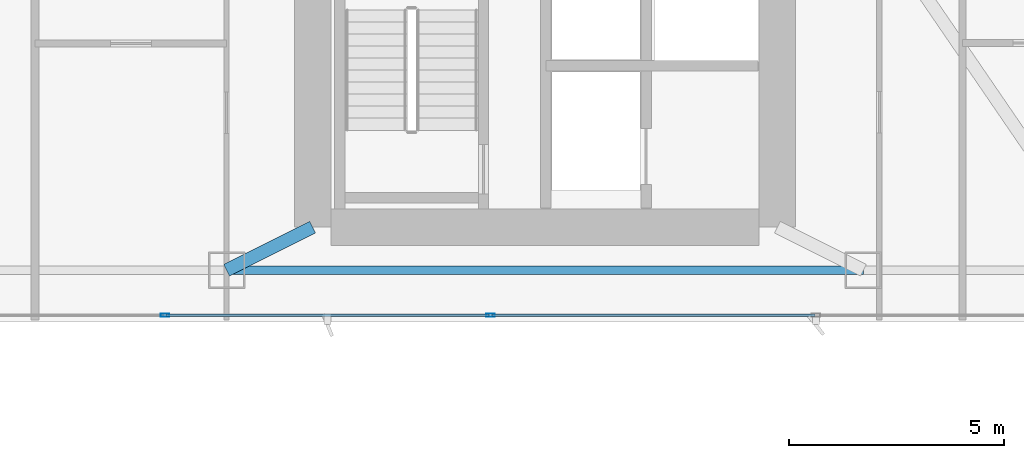
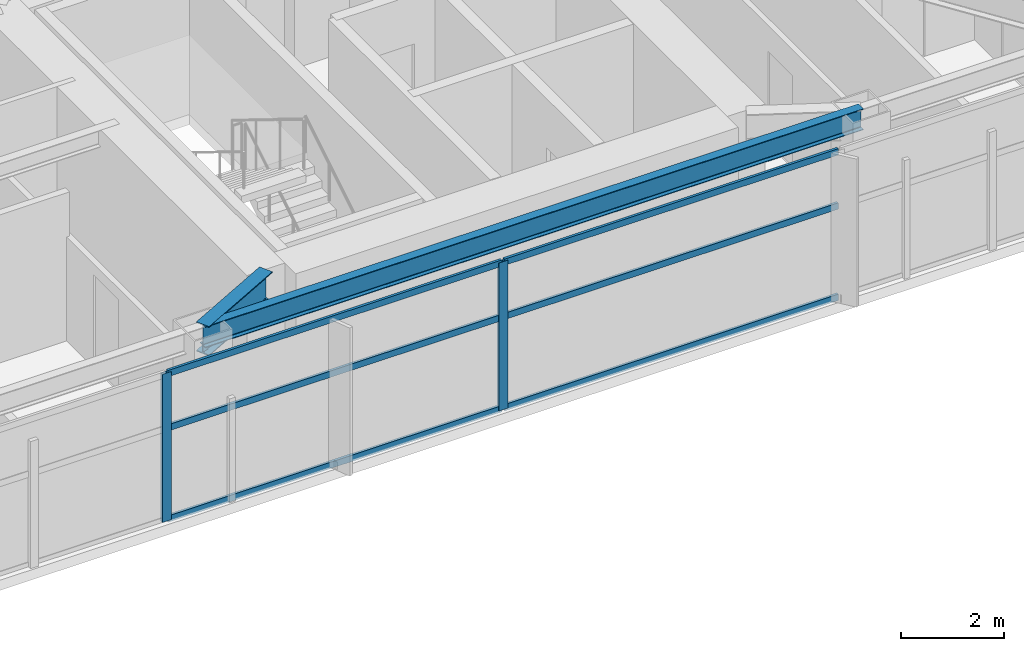
# One storey, part 6 of 28: 8 members, 2 beams, 1 element without a shape of its own.
"""IFC4 building model written with IfcOpenShell, lengths in metres."""

from ifc_helpers import new_model, si_unit, direction, frame, origin, origin_2d, place, context, subcontext, project, spatial, hollow_rectangle, i_section, extrude, material, layer, layer_set, material_profile, profile_set, type_object, element, aggregate, save


model = new_model("IFC4")

# Units and contexts
model_context = context("Model", 3, precision=1e-05, world=origin(), true_north=direction((0.0, 1.0)))
body_context = subcontext(model_context, "Body", "Model", "MODEL_VIEW")
ifc_project = project(units=[si_unit("LENGTHUNIT", "METRE"), si_unit("AREAUNIT", "SQUARE_METRE"), si_unit("VOLUMEUNIT", "CUBIC_METRE"), si_unit("PLANEANGLEUNIT", "RADIAN"), si_unit("MASSUNIT", "GRAM", prefix="KILO")], contexts=[model_context])

# Site, building, storey
site_placement = place(None, origin())
site = spatial("IfcSite", under=ifc_project, at=site_placement, CompositionType="ELEMENT")
building_placement = place(site_placement, origin())
building = spatial("IfcBuilding", under=site, at=building_placement, Name="Calvorn Quay Hotel", CompositionType="ELEMENT")
storey_placement = place(building_placement, frame((0.0, 0.0, 135.39990234375)))
storey = spatial("IfcBuildingStorey", under=building, at=storey_placement, Name="L33", CompositionType="ELEMENT", Elevation=135.39990234375)

# Beams
ifc_material_1 = material(Name="Steel Q390GJC", Category="steel")
ifc_material_profile_1 = material_profile(ifc_material_1, i_section(OverallWidth=0.300048828125, OverallDepth=0.699951171875, WebThickness=0.012939453125, FlangeThickness=0.02392578125, FilletRadius=0.02392578125, at=origin_2d()), Name="HN700x300x13x24")
ifc_profile_set_1 = profile_set([ifc_material_profile_1], Name="Steel Q390GJC")
beam_type_1 = type_object("IfcBeamType", Name="BM-GIRD-MAIN", PredefinedType="BEAM", material=ifc_profile_set_1)
beam_1_placement = place(storey_placement, frame((19.60009765625, 3.60009765625, 3.170166015625), z_axis=(0.894427191, 0.4472135955, 0.0), x_axis=(-0.4472135955, 0.894427191, 0.0)))
element("IfcBeam", 1, at=beam_1_placement, inside=storey, type_object=beam_type_1, Name="Beam BG-L33-S2", PredefinedType="BEAM", context=body_context, shape_type="SweptSolid", body=[
    extrude(i_section(OverallWidth=0.300048828125, OverallDepth=0.699951171875, WebThickness=0.012939453125, FlangeThickness=0.02392578125, FilletRadius=0.02392578125, at=origin_2d()), origin(), (0.0, 0.0, 1.0), 2.236083984375),
])
ifc_material_2 = material(Name="Steel Q355B", Category="steel")
ifc_material_profile_2 = material_profile(ifc_material_2, i_section(OverallWidth=0.199951171875, OverallDepth=0.5, WebThickness=0.010009765625, FlangeThickness=0.01611328125, FilletRadius=0.01611328125, at=origin_2d()), Name="HN500x200x10x16")
ifc_profile_set_2 = profile_set([ifc_material_profile_2], Name="Steel Q355B")
beam_type_2 = type_object("IfcBeamType", Name="BM-SPANDREL-Z1", PredefinedType="SPANDREL", material=ifc_profile_set_2)
beam_2_placement = place(storey_placement, frame((19.60009765625, 3.60009765625, 3.27001953125), z_axis=(1.0, 0.0, 0.0), x_axis=(0.0, 1.0, 0.0)))
element("IfcBeam", 2, at=beam_2_placement, inside=storey, type_object=beam_type_2, Name="Beam BSP-L33-S3", PredefinedType="SPANDREL", context=body_context, shape_type="SweptSolid", body=[
    extrude(i_section(OverallWidth=0.199951171875, OverallDepth=0.5, WebThickness=0.010009765625, FlangeThickness=0.01611328125, FilletRadius=0.01611328125, at=origin_2d()), origin(), (0.0, 0.0, 1.0), 14.7998046875),
])

# Curtain wall, members
ifc_material_3 = material(Name="Pale Anodised Aluminium and Low-E Glass", Category="aluminium")
ifc_layer = layer(ifc_material_3, 0.219970703125)
ifc_layer_set = layer_set([ifc_layer], Name="CW-SYS-Z2")
curtain_wall_type = type_object("IfcCurtainWallType", Name="CW-SYS-Z2", PredefinedType="NOTDEFINED", material=ifc_layer_set)
curtain_wall_placement = place(storey_placement, origin())
curtain_wall = element("IfcCurtainWall", 3, at=curtain_wall_placement, inside=storey, type_object=curtain_wall_type, Name="Tower South Waterfront Curtain Wall (L33)", PredefinedType="NOTDEFINED")
ifc_material_4 = material(Name="Pale Anodised Aluminium 6063-T6", Category="aluminium")
ifc_material_profile_3 = material_profile(ifc_material_4, hollow_rectangle(XDim=0.070068359375, YDim=0.199951171875, WallThickness=0.00390625, at=origin_2d()), Name="ALU-M200x70x4")
ifc_profile_set_3 = profile_set([ifc_material_profile_3], Name="Pale Anodised Aluminium 6063-T6")
member_type_1 = type_object("IfcMemberType", Name="CW-SYS-Z2-MUL", PredefinedType="MULLION", material=ifc_profile_set_3)
member_1_placement = place(storey_placement, frame((18.166748046875, 2.550048828125, 0.0), z_axis=(0.0, 0.0, 1.0), x_axis=(0.0, 1.0, 0.0)))
member_1 = element("IfcMember", 4, at=member_1_placement, type_object=member_type_1, Name="CW-L33-S mullion 2", PredefinedType="MULLION", context=body_context, shape_type="SweptSolid", body=[
    extrude(hollow_rectangle(XDim=0.070068359375, YDim=0.199951171875, WallThickness=0.00390625, at=origin_2d()), origin(), (0.0, 0.0, 1.0), 3.52001953125),
])
member_2_placement = place(storey_placement, frame((25.7333984375, 2.550048828125, 0.0), z_axis=(0.0, 0.0, 1.0), x_axis=(0.0, 1.0, 0.0)))
member_2 = element("IfcMember", 5, at=member_2_placement, type_object=member_type_1, Name="CW-L33-S mullion 3", PredefinedType="MULLION", context=body_context, shape_type="SweptSolid", body=[
    extrude(hollow_rectangle(XDim=0.070068359375, YDim=0.199951171875, WallThickness=0.00390625, at=origin_2d()), origin(), (0.0, 0.0, 1.0), 3.52001953125),
])
ifc_material_5 = material(Name="Pale Anodised Aluminium 6063-T6", Category="aluminium")
ifc_material_profile_4 = material_profile(ifc_material_5, hollow_rectangle(XDim=0.06005859375, YDim=0.14990234375, WallThickness=0.00341796875, at=origin_2d()), Name="ALU-T150x60x3.5")
ifc_profile_set_4 = profile_set([ifc_material_profile_4], Name="Pale Anodised Aluminium 6063-T6")
member_type_2 = type_object("IfcMemberType", Name="CW-SYS-Z2-TRN", PredefinedType="USERDEFINED", material=ifc_profile_set_4)
member_3_placement = place(storey_placement, frame((18.19677734375, 2.550048828125, 0.030029296875), z_axis=(1.0, 0.0, 0.0), x_axis=(0.0, 1.0, 0.0)))
member_3 = element("IfcMember", 6, at=member_3_placement, type_object=member_type_2, Name="CW-L33-S transom 2.1", ObjectType="TRANSOM", PredefinedType="USERDEFINED", context=body_context, shape_type="SweptSolid", body=[
    extrude(hollow_rectangle(XDim=0.06005859375, YDim=0.14990234375, WallThickness=0.00341796875, at=origin_2d()), origin(), (0.0, 0.0, 1.0), 7.506591796875),
])
member_4_placement = place(storey_placement, frame((18.19677734375, 2.550048828125, 2.2001953125), z_axis=(1.0, 0.0, 0.0), x_axis=(0.0, 1.0, 0.0)))
member_4 = element("IfcMember", 7, at=member_4_placement, type_object=member_type_2, Name="CW-L33-S transom 2.2", ObjectType="TRANSOM", PredefinedType="USERDEFINED", context=body_context, shape_type="SweptSolid", body=[
    extrude(hollow_rectangle(XDim=0.06005859375, YDim=0.14990234375, WallThickness=0.00341796875, at=origin_2d()), origin(), (0.0, 0.0, 1.0), 7.506591796875),
])
member_5_placement = place(storey_placement, frame((18.19677734375, 2.550048828125, 3.489990234375), z_axis=(1.0, 0.0, 0.0), x_axis=(0.0, 1.0, 0.0)))
member_5 = element("IfcMember", 8, at=member_5_placement, type_object=member_type_2, Name="CW-L33-S transom 2.3", ObjectType="TRANSOM", PredefinedType="USERDEFINED", context=body_context, shape_type="SweptSolid", body=[
    extrude(hollow_rectangle(XDim=0.06005859375, YDim=0.14990234375, WallThickness=0.00341796875, at=origin_2d()), origin(), (0.0, 0.0, 1.0), 7.506591796875),
])
member_6_placement = place(storey_placement, frame((25.763427734375, 2.550048828125, 0.030029296875), z_axis=(1.0, 0.0, 0.0), x_axis=(0.0, 1.0, 0.0)))
member_6 = element("IfcMember", 9, at=member_6_placement, type_object=member_type_2, Name="CW-L33-S transom 3.1", ObjectType="TRANSOM", PredefinedType="USERDEFINED", context=body_context, shape_type="SweptSolid", body=[
    extrude(hollow_rectangle(XDim=0.06005859375, YDim=0.14990234375, WallThickness=0.00341796875, at=origin_2d()), origin(), (0.0, 0.0, 1.0), 7.506591796875),
])
member_7_placement = place(storey_placement, frame((25.763427734375, 2.550048828125, 2.2001953125), z_axis=(1.0, 0.0, 0.0), x_axis=(0.0, 1.0, 0.0)))
member_7 = element("IfcMember", 10, at=member_7_placement, type_object=member_type_2, Name="CW-L33-S transom 3.2", ObjectType="TRANSOM", PredefinedType="USERDEFINED", context=body_context, shape_type="SweptSolid", body=[
    extrude(hollow_rectangle(XDim=0.06005859375, YDim=0.14990234375, WallThickness=0.00341796875, at=origin_2d()), origin(), (0.0, 0.0, 1.0), 7.506591796875),
])
member_8_placement = place(storey_placement, frame((25.763427734375, 2.550048828125, 3.489990234375), z_axis=(1.0, 0.0, 0.0), x_axis=(0.0, 1.0, 0.0)))
member_8 = element("IfcMember", 11, at=member_8_placement, type_object=member_type_2, Name="CW-L33-S transom 3.3", ObjectType="TRANSOM", PredefinedType="USERDEFINED", context=body_context, shape_type="SweptSolid", body=[
    extrude(hollow_rectangle(XDim=0.06005859375, YDim=0.14990234375, WallThickness=0.00341796875, at=origin_2d()), origin(), (0.0, 0.0, 1.0), 7.506591796875),
])
aggregate(curtain_wall, [member_1, member_2, member_3, member_4, member_5, member_6, member_7, member_8])

save(model, "model.ifc")
